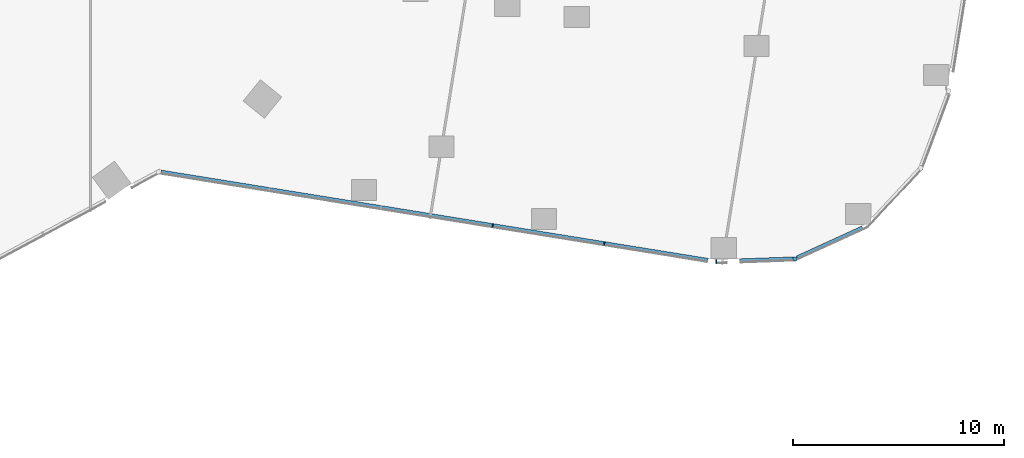
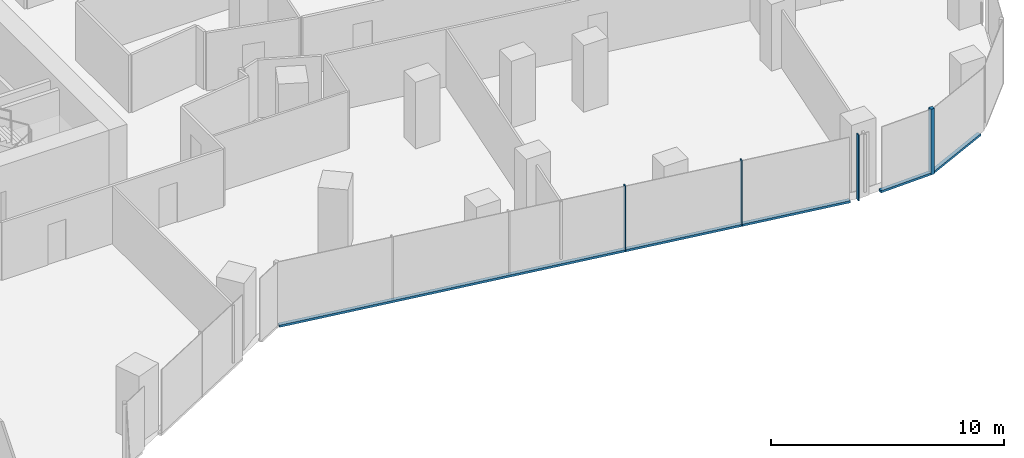
# One storey, part 9 of 34: 7 members, 3 elements without a shape of their own.
"""IFC4 building model written with IfcOpenShell, lengths in metres."""

from ifc_helpers import new_model, si_unit, direction, frame, origin, origin_2d, place, context, subcontext, project, spatial, rectangle, extrude, material, material_profile, profile_set, type_object, element, aggregate, save


model = new_model("IFC4")

# Units and contexts
model_context = context("Model", 3, precision=1e-05, world=origin(), true_north=direction((0.0, 1.0)))
body_context = subcontext(model_context, "Body", "Model", "MODEL_VIEW")
ifc_project = project(units=[si_unit("LENGTHUNIT", "METRE"), si_unit("AREAUNIT", "SQUARE_METRE"), si_unit("VOLUMEUNIT", "CUBIC_METRE"), si_unit("PLANEANGLEUNIT", "RADIAN"), si_unit("MASSUNIT", "GRAM", prefix="KILO")], contexts=[model_context])

# Site, building, storey
site_placement = place(None, origin())
site = spatial("IfcSite", under=ifc_project, at=site_placement, CompositionType="ELEMENT")
building_placement = place(site_placement, origin())
building = spatial("IfcBuilding", under=site, at=building_placement, Name="Orlundy Tower", CompositionType="ELEMENT")
storey_placement = place(building_placement, frame((0.0, 0.0, 137.699951171875)))
storey = spatial("IfcBuildingStorey", under=building, at=storey_placement, Name="L35", CompositionType="ELEMENT", Elevation=137.699951171875)

# Curtain wall, member
ifc_material_1 = material(Name="Aluminium bronze anodised", Category="aluminium")
curtain_wall_type = type_object("IfcCurtainWallType", Name="CW1 wall", PredefinedType="NOTDEFINED", material=ifc_material_1)
curtain_wall_1_placement = place(storey_placement, origin())
curtain_wall_1 = element("IfcCurtainWall", 1, at=curtain_wall_1_placement, inside=storey, type_object=curtain_wall_type, Name="CW1 run 015", PredefinedType="NOTDEFINED")
ifc_material_2 = material(Name="Aluminium bronze anodised", Category="aluminium")
ifc_material_profile_1 = material_profile(ifc_material_2, rectangle(XDim=0.179931640625, YDim=0.179931640625, at=origin_2d()), Name="CW1 corner post 180x180")
ifc_profile_set_1 = profile_set([ifc_material_profile_1], Name="Aluminium bronze anodised")
member_type_1 = type_object("IfcMemberType", Name="CW1 corner post 180x180", PredefinedType="MULLION", material=ifc_profile_set_1)
member_1_placement = place(storey_placement, frame((49.901123046875, -27.664306640625, -0.39990234375), z_axis=(0.0, 0.0, 1.0), x_axis=(0.036413082656, -0.999336823804, 0.0)))
member_1 = element("IfcMember", 2, at=member_1_placement, type_object=member_type_1, Name="CW1 mullion 43", PredefinedType="MULLION", context=body_context, shape_type="SweptSolid", body=[
    extrude(rectangle(XDim=0.179931640625, YDim=0.179931640625, at=origin_2d()), origin(), (0.0, 0.0, 1.0), 3.449951171875),
])

# Curtain wall, members
curtain_wall_2_placement = place(storey_placement, origin())
curtain_wall_2 = element("IfcCurtainWall", 3, at=curtain_wall_2_placement, inside=storey, type_object=curtain_wall_type, Name="CW1 run 016", PredefinedType="NOTDEFINED")
ifc_material_3 = material(Name="Aluminium bronze anodised", Category="aluminium")
ifc_material_profile_2 = material_profile(ifc_material_3, rectangle(XDim=0.179931640625, YDim=0.050048828125, at=origin_2d()), Name="CW1 mullion 50x180")
ifc_profile_set_2 = profile_set([ifc_material_profile_2], Name="Aluminium bronze anodised")
member_type_2 = type_object("IfcMemberType", Name="CW1 mullion 50x180", PredefinedType="MULLION", material=ifc_profile_set_2)
member_2_placement = place(storey_placement, frame((46.16943359375, -27.80029296875, -0.39990234375), z_axis=(0.0, 0.0, 1.0), x_axis=(-0.061746522644, -0.998091862977, 0.0)))
member_2 = element("IfcMember", 4, at=member_2_placement, type_object=member_type_2, Name="CW1 mullion 44", PredefinedType="MULLION", context=body_context, shape_type="SweptSolid", body=[
    extrude(rectangle(XDim=0.179931640625, YDim=0.050048828125, at=origin_2d()), origin(), (0.0, 0.0, 1.0), 3.449951171875),
])
member_3_placement = place(storey_placement, frame((40.872314453125, -26.945556640625, -0.39990234375), z_axis=(0.0, 0.0, 1.0), x_axis=(-0.159311085453, -0.987228432558, 0.0)))
member_3 = element("IfcMember", 5, at=member_3_placement, type_object=member_type_2, Name="CW1 mullion 45", PredefinedType="MULLION", context=body_context, shape_type="SweptSolid", body=[
    extrude(rectangle(XDim=0.179931640625, YDim=0.050048828125, at=origin_2d()), origin(), (0.0, 0.0, 1.0), 3.449951171875),
])
member_4_placement = place(storey_placement, frame((35.583740234375, -26.092041015625, -0.39990234375), z_axis=(0.0, 0.0, 1.0), x_axis=(-0.159311085453, -0.987228432558, 0.0)))
member_4 = element("IfcMember", 6, at=member_4_placement, type_object=member_type_2, Name="CW1 mullion 46", PredefinedType="MULLION", context=body_context, shape_type="SweptSolid", body=[
    extrude(rectangle(XDim=0.179931640625, YDim=0.050048828125, at=origin_2d()), origin(), (0.0, 0.0, 1.0), 3.449951171875),
])

# Curtain wall, member
curtain_wall_3_placement = place(storey_placement, origin())
curtain_wall_3 = element("IfcCurtainWall", 7, at=curtain_wall_3_placement, inside=storey, type_object=curtain_wall_type, Name="CW1 run 014", PredefinedType="NOTDEFINED")
ifc_material_4 = material(Name="Aluminium bronze anodised", Category="aluminium")
ifc_material_profile_3 = material_profile(ifc_material_4, rectangle(XDim=0.179931640625, YDim=0.1201171875, at=origin_2d()), Name="CW1 transom 180x120")
ifc_profile_set_3 = profile_set([ifc_material_profile_3], Name="Aluminium bronze anodised")
member_type_3 = type_object("IfcMemberType", Name="CW1 transom 180x120", PredefinedType="USERDEFINED", material=ifc_profile_set_3)
member_5_placement = place(storey_placement, frame((53.10791015625, -26.197021484375, -0.33984375), z_axis=(-0.909329814914, -0.416076060003, 0.0), x_axis=(0.416076060003, -0.909329814914, 0.0)))
member_5 = element("IfcMember", 8, at=member_5_placement, type_object=member_type_3, Name="CW1 transom", ObjectType="TRANSOM", PredefinedType="USERDEFINED", context=body_context, shape_type="SweptSolid", body=[
    extrude(rectangle(XDim=0.179931640625, YDim=0.1201171875, at=origin_2d()), origin(), (0.0, 0.0, 1.0), 3.42919921875),
])
aggregate(curtain_wall_3, [member_5])

# Member
member_6_placement = place(storey_placement, frame((49.811279296875, -27.66748046875, -0.33984375), z_axis=(-0.999337008749, -0.0364080066, 0.0), x_axis=(0.0364080066, -0.999337008749, 0.0)))
member_6 = element("IfcMember", 9, at=member_6_placement, type_object=member_type_3, Name="CW1 transom", ObjectType="TRANSOM", PredefinedType="USERDEFINED", context=body_context, shape_type="SweptSolid", body=[
    extrude(rectangle(XDim=0.179931640625, YDim=0.1201171875, at=origin_2d()), origin(), (0.0, 0.0, 1.0), 2.528076171875),
])

aggregate(curtain_wall_1, [member_1, member_6])

member_7_placement = place(storey_placement, frame((45.784912109375, -27.73828125, -0.33984375), z_axis=(-0.987227397491, 0.159317499491, 0.0), x_axis=(-0.159317499491, -0.987227397491, 0.0)))
member_7 = element("IfcMember", 10, at=member_7_placement, type_object=member_type_3, Name="CW1 transom", ObjectType="TRANSOM", PredefinedType="USERDEFINED", context=body_context, shape_type="SweptSolid", body=[
    extrude(rectangle(XDim=0.179931640625, YDim=0.1201171875, at=origin_2d()), origin(), (0.0, 0.0, 1.0), 26.259521484375),
])

aggregate(curtain_wall_2, [member_2, member_3, member_4, member_7])

save(model, "model.ifc")
